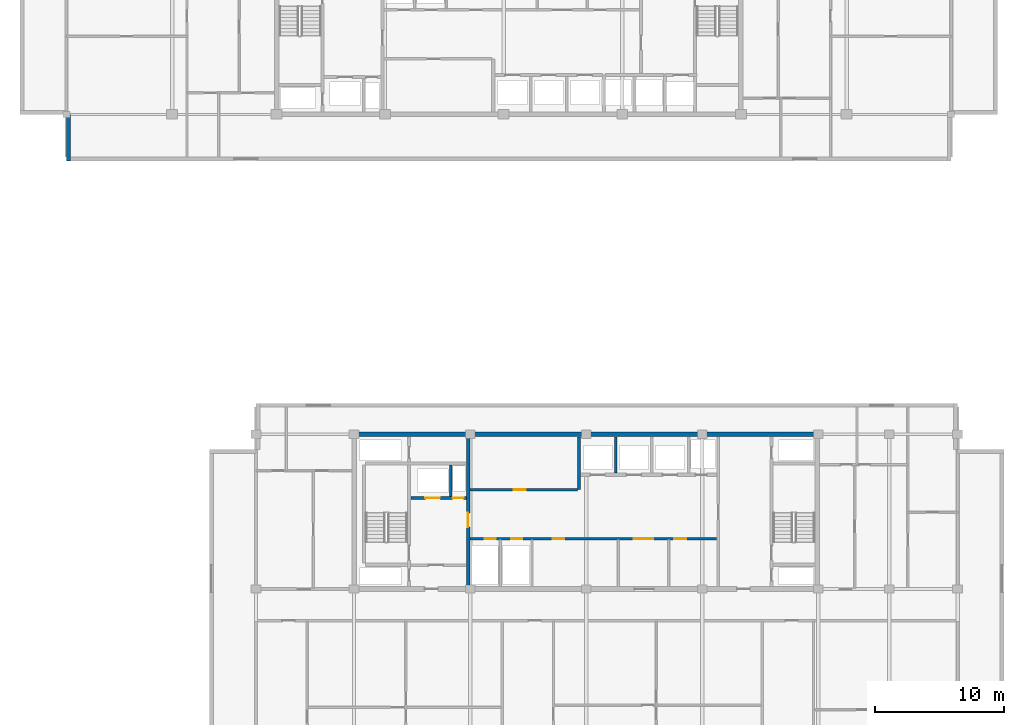
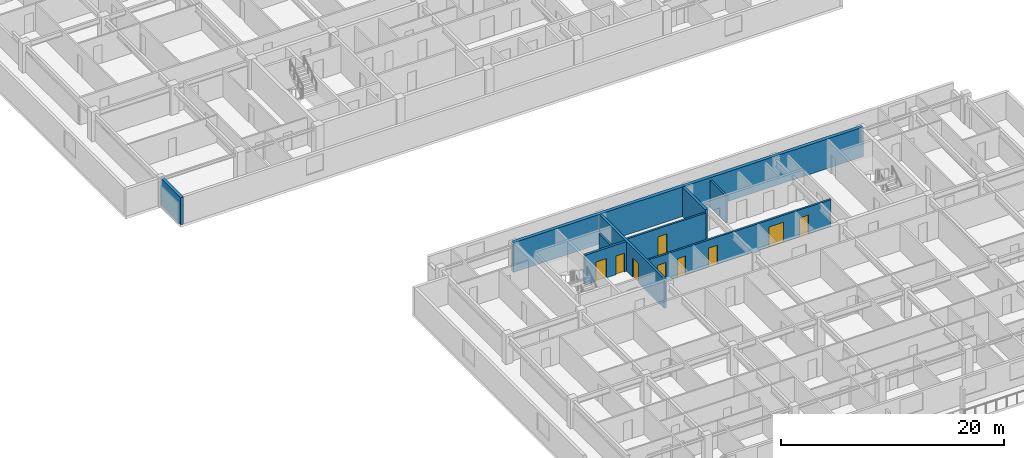
# One storey, part 7 of 23: 9 doors, 9 walls, 9 openings.
"""IFC4 building model written with IfcOpenShell, lengths in metres."""

from ifc_helpers import new_model, si_unit, direction, frame, frame_2d, origin, place, context, subcontext, project, spatial, rectangle, extrude, material, layer, layer_set, type_object, element, fill, save


model = new_model("IFC4")

# Units and contexts
model_context = context("Model", 3, precision=1e-05, world=origin(), true_north=direction((0.0, 1.0)))
body_context = subcontext(model_context, "Body", "Model", "MODEL_VIEW")
ifc_project = project(units=[si_unit("LENGTHUNIT", "METRE"), si_unit("AREAUNIT", "SQUARE_METRE"), si_unit("VOLUMEUNIT", "CUBIC_METRE"), si_unit("PLANEANGLEUNIT", "RADIAN"), si_unit("MASSUNIT", "GRAM", prefix="KILO")], contexts=[model_context])

# Site, building, storey
site_placement = place(None, origin())
site = spatial("IfcSite", under=ifc_project, at=site_placement, CompositionType="ELEMENT")
building_placement = place(site_placement, origin())
building = spatial("IfcBuilding", under=site, at=building_placement, Name="Korimba Cascade Residences", CompositionType="ELEMENT")
storey_placement = place(building_placement, frame((0.0, 0.0, 165.35009765625)))
storey = spatial("IfcBuildingStorey", under=building, at=storey_placement, Name="L47", CompositionType="ELEMENT", Elevation=165.35009765625)

# Walls
ifc_material_1 = material(Name="Precast concrete C40/50", Category="concrete")
ifc_layer_1 = layer(ifc_material_1, 0.300048828125)
ifc_layer_set_1 = layer_set([ifc_layer_1], Name="Precast concrete C40/50")
wall_type_1 = type_object("IfcWallType", Name="EW-STONE-300", PredefinedType="STANDARD", material=ifc_layer_set_1)
wall_1_placement = place(storey_placement, frame((59.949951171875, 55.199951171875, 0.0), z_axis=(0.0, 0.0, 1.0), x_axis=(0.0, -1.0, 0.0)))
element("IfcWall", 1, at=wall_1_placement, inside=storey, type_object=wall_type_1, Name="L47 T1 Perimeter Stone Wall E11", PredefinedType="STANDARD", context=body_context, shape_type="SweptSolid", body=[
    extrude(rectangle(XDim=3.599853515625, YDim=0.300048828125, at=frame_2d((1.7998046875, 0.0))), origin(), (0.0, 0.0, 1.0), 2.969970703125),
])
ifc_material_2 = material(Name="Concrete C65/80", Category="concrete")
ifc_layer_2 = layer(ifc_material_2, 0.35009765625)
ifc_layer_set_2 = layer_set([ifc_layer_2], Name="Concrete C65/80")
wall_type_2 = type_object("IfcWallType", Name="WAL-CORE-350", PredefinedType="SHEAR", material=ifc_layer_set_2)
wall_2_placement = place(storey_placement, frame((81.925048828125, 30.39990234375, 0.0), z_axis=(0.0, 0.0, 1.0), x_axis=(1.0, 0.0, 0.0)))
element("IfcWall", 2, at=wall_2_placement, inside=storey, type_object=wall_type_2, Name="L47 Core Shear Wall CW-L47-T2-N", PredefinedType="SHEAR", context=body_context, shape_type="SweptSolid", body=[
    extrude(rectangle(XDim=36.264892578125, YDim=0.35009765625, at=frame_2d((18.13232421875, 0.0))), origin(), (0.0, 0.0, 1.0), 3.25),
])
ifc_material_3 = material(Name="Concrete C40/50", Category="concrete")
ifc_layer_3 = layer(ifc_material_3, 0.199951171875)
ifc_layer_set_3 = layer_set([ifc_layer_3], Name="Concrete C40/50")
wall_type_3 = type_object("IfcWallType", Name="WAL-PART-200", PredefinedType="PARTITIONING", material=ifc_layer_set_3)
wall_3_placement = place(storey_placement, frame((89.60009765625, 25.580078125, 0.0), z_axis=(0.0, 0.0, 1.0), x_axis=(0.0, 1.0, 0.0)))
element("IfcWall", 3, at=wall_3_placement, inside=storey, type_object=wall_type_3, Name="L47 Partition Wall CW-L47-T2-FFLDIV", PredefinedType="PARTITIONING", context=body_context, shape_type="SweptSolid", body=[
    extrude(rectangle(XDim=2.419921875, YDim=0.199951171875, at=frame_2d((1.2099609375, 0.0))), origin(), (0.0, 0.0, 1.0), 2.969970703125),
])

# Wall, opening, door
wall_4_placement = place(storey_placement, frame((91.080078125, 26.10009765625, 0.0), z_axis=(0.0, 0.0, 1.0), x_axis=(1.0, 0.0, 0.0)))
wall_4 = element("IfcWall", 4, at=wall_4_placement, inside=storey, type_object=wall_type_3, Name="L47 Partition Wall CW-L47-T2-B1RS", PredefinedType="PARTITIONING", context=body_context, shape_type="SweptSolid", body=[
    extrude(rectangle(XDim=8.33984375, YDim=0.199951171875, at=frame_2d((4.169921875, 0.0))), origin(), (0.0, 0.0, 1.0), 2.969970703125),
])
opening_1_placement = place(wall_4_placement, frame((3.39990234375, 0.0, 0.0)))
opening_1 = element("IfcOpeningElement", 5, at=opening_1_placement, cuts=wall_4, Name="Opening D-ST1", PredefinedType="OPENING", context=body_context, shape_type="SweptSolid", body=[
    extrude(rectangle(XDim=0.919921875, YDim=2.080078125, at=frame_2d((0.4599609375, 1.0400390625))), frame((0.0, 0.10986328125, 0.0), z_axis=(0.0, -1.0, 0.0), x_axis=(1.0, 0.0, 0.0)), (0.0, 0.0, 1.0), 0.219970703125),
])
ifc_material_4 = material(Name="Fire-Rated Core Store Door", Category="wood")
door_type_1 = type_object("IfcDoorType", Name="DR-FD60-920", OperationType="NOTDEFINED", PredefinedType="DOOR", material=ifc_material_4)
door_1_placement = place(opening_1_placement, origin())
door_1 = element("IfcDoor", 6, at=door_1_placement, inside=storey, type_object=door_type_1, Name="L47 T2 Resident Storage Door", OperationType="SINGLE_SWING_RIGHT", OverallHeight=2.080078125, OverallWidth=0.919921875, PredefinedType="DOOR", context=body_context, shape_type="SweptSolid", body=[
    extrude(rectangle(XDim=0.919921875, YDim=2.080078125, at=frame_2d((0.4599609375, 1.0400390625))), frame((0.0, 0.02490234375, 0.0), z_axis=(0.0, -1.0, 0.0), x_axis=(1.0, 0.0, 0.0)), (0.0, 0.0, 1.0), 0.050048828125),
])
fill(opening_1, door_1)

# Wall
wall_5_placement = place(storey_placement, frame((102.39990234375, 27.3798828125, 0.0), z_axis=(0.0, 0.0, 1.0), x_axis=(0.0, 1.0, 0.0)))
element("IfcWall", 7, at=wall_5_placement, inside=storey, type_object=wall_type_3, Name="L47 Partition Wall CW-L47-T2-B2D1", PredefinedType="PARTITIONING", context=body_context, shape_type="SweptSolid", body=[
    extrude(rectangle(XDim=2.820068359375, YDim=0.199951171875, at=frame_2d((1.41015625, 0.0))), origin(), (0.0, 0.0, 1.0), 2.969970703125),
])

# Wall, openings, doors
wall_6_placement = place(storey_placement, frame((91.080078125, 22.300048828125, 0.0), z_axis=(0.0, 0.0, 1.0), x_axis=(1.0, 0.0, 0.0)))
wall_6 = element("IfcWall", 8, at=wall_6_placement, inside=storey, type_object=wall_type_3, Name="L47 Partition Wall CW-L47-T2-SRVROW", PredefinedType="PARTITIONING", context=body_context, shape_type="SweptSolid", body=[
    extrude(rectangle(XDim=19.139892578125, YDim=0.199951171875, at=frame_2d((9.56982421875, 0.0))), origin(), (0.0, 0.0, 1.0), 2.969970703125),
])
opening_2_placement = place(wall_6_placement, frame((1.14990234375, 0.0, 0.0)))
opening_2 = element("IfcOpeningElement", 9, at=opening_2_placement, cuts=wall_6, Name="Opening D-RS1", PredefinedType="OPENING", context=body_context, shape_type="SweptSolid", body=[
    extrude(rectangle(XDim=0.85009765625, YDim=2.050048828125, at=frame_2d((0.425048828125, 1.02490234375))), frame((0.0, 0.10986328125, 0.0), z_axis=(0.0, -1.0, 0.0), x_axis=(1.0, 0.0, 0.0)), (0.0, 0.0, 1.0), 0.219970703125),
])
opening_3_placement = place(wall_6_placement, frame((3.199951171875, 0.0, 0.0)))
opening_3 = element("IfcOpeningElement", 10, at=opening_3_placement, cuts=wall_6, Name="Opening D-RS1", PredefinedType="OPENING", context=body_context, shape_type="SweptSolid", body=[
    extrude(rectangle(XDim=0.85009765625, YDim=2.050048828125, at=frame_2d((0.425048828125, 1.02490234375))), frame((0.0, 0.10986328125, 0.0), z_axis=(0.0, -1.0, 0.0), x_axis=(1.0, 0.0, 0.0)), (0.0, 0.0, 1.0), 0.219970703125),
])
opening_4_placement = place(wall_6_placement, frame((12.719970703125, 0.0, 0.0)))
opening_4 = element("IfcOpeningElement", 11, at=opening_4_placement, cuts=wall_6, Name="Opening D-FD8", PredefinedType="OPENING", context=body_context, shape_type="SweptSolid", body=[
    extrude(rectangle(XDim=1.5, YDim=2.199951171875, at=frame_2d((0.75, 1.10009765625))), frame((0.0, 0.10986328125, 0.0), z_axis=(0.0, -1.0, 0.0), x_axis=(1.0, 0.0, 0.0)), (0.0, 0.0, 1.0), 0.219970703125),
])
opening_5_placement = place(wall_6_placement, frame((6.419921875, 0.0, 0.0)))
opening_5 = element("IfcOpeningElement", 12, at=opening_5_placement, cuts=wall_6, Name="Opening D-IN1", PredefinedType="OPENING", context=body_context, shape_type="SweptSolid", body=[
    extrude(rectangle(XDim=0.919921875, YDim=2.080078125, at=frame_2d((0.4599609375, 1.0400390625))), frame((0.0, 0.10986328125, 0.0), z_axis=(0.0, -1.0, 0.0), x_axis=(1.0, 0.0, 0.0)), (0.0, 0.0, 1.0), 0.219970703125),
])
opening_6_placement = place(wall_6_placement, frame((15.8701171875, 0.0, 0.0)))
opening_6 = element("IfcOpeningElement", 13, at=opening_6_placement, cuts=wall_6, Name="Opening D-IN1", PredefinedType="OPENING", context=body_context, shape_type="SweptSolid", body=[
    extrude(rectangle(XDim=0.919921875, YDim=2.080078125, at=frame_2d((0.4599609375, 1.0400390625))), frame((0.0, 0.10986328125, 0.0), z_axis=(0.0, -1.0, 0.0), x_axis=(1.0, 0.0, 0.0)), (0.0, 0.0, 1.0), 0.219970703125),
])
ifc_material_5 = material(Name="Fire-Rated Steel Riser Access Door", Category="steel")
door_type_2 = type_object("IfcDoorType", Name="DR-FD60-850", OperationType="NOTDEFINED", PredefinedType="DOOR", material=ifc_material_5)
door_2_placement = place(opening_2_placement, origin())
door_2 = element("IfcDoor", 14, at=door_2_placement, inside=storey, type_object=door_type_2, Name="L47 T2 Electrical Riser Door", OperationType="SINGLE_SWING_RIGHT", OverallHeight=2.050048828125, OverallWidth=0.85009765625, PredefinedType="DOOR", context=body_context, shape_type="SweptSolid", body=[
    extrude(rectangle(XDim=0.85009765625, YDim=2.050048828125, at=frame_2d((0.425048828125, 1.02490234375))), frame((0.0, 0.02490234375, 0.0), z_axis=(0.0, -1.0, 0.0), x_axis=(1.0, 0.0, 0.0)), (0.0, 0.0, 1.0), 0.050048828125),
])
fill(opening_2, door_2)
door_3_placement = place(opening_3_placement, origin())
door_3 = element("IfcDoor", 15, at=door_3_placement, inside=storey, type_object=door_type_2, Name="L47 T2 Plumbing Riser Door", OperationType="SINGLE_SWING_LEFT", OverallHeight=2.050048828125, OverallWidth=0.85009765625, PredefinedType="DOOR", context=body_context, shape_type="SweptSolid", body=[
    extrude(rectangle(XDim=0.85009765625, YDim=2.050048828125, at=frame_2d((0.425048828125, 1.02490234375))), frame((0.0, 0.02490234375, 0.0), z_axis=(0.0, -1.0, 0.0), x_axis=(1.0, 0.0, 0.0)), (0.0, 0.0, 1.0), 0.050048828125),
])
fill(opening_3, door_3)
ifc_material_6 = material(Name="Fire-Rated Glazed Lift Lobby Double Door", Category="glass")
door_type_3 = type_object("IfcDoorType", Name="DR-FD90-1500", OperationType="NOTDEFINED", PredefinedType="DOOR", material=ifc_material_6)
door_4_placement = place(opening_4_placement, origin())
door_4 = element("IfcDoor", 16, at=door_4_placement, inside=storey, type_object=door_type_3, Name="L47 T2 Lift Lobby Foyer Door", OperationType="DOUBLE_DOOR_SINGLE_SWING", OverallHeight=2.199951171875, OverallWidth=1.5, PredefinedType="DOOR", context=body_context, shape_type="SweptSolid", body=[
    extrude(rectangle(XDim=1.5, YDim=2.199951171875, at=frame_2d((0.75, 1.10009765625))), frame((0.0, 0.02490234375, 0.0), z_axis=(0.0, -1.0, 0.0), x_axis=(1.0, 0.0, 0.0)), (0.0, 0.0, 1.0), 0.050048828125),
])
fill(opening_4, door_4)
ifc_material_7 = material(Name="Acoustic Timber Living Door", Category="wood")
door_type_4 = type_object("IfcDoorType", Name="DR-INT-920", OperationType="NOTDEFINED", PredefinedType="DOOR", material=ifc_material_7)
door_5_placement = place(opening_5_placement, origin())
door_5 = element("IfcDoor", 17, at=door_5_placement, inside=storey, type_object=door_type_4, Name="L47 T2 Housekeeping Door", OperationType="SINGLE_SWING_RIGHT", OverallHeight=2.080078125, OverallWidth=0.919921875, PredefinedType="DOOR", context=body_context, shape_type="SweptSolid", body=[
    extrude(rectangle(XDim=0.919921875, YDim=2.080078125, at=frame_2d((0.4599609375, 1.0400390625))), frame((0.0, 0.02490234375, 0.0), z_axis=(0.0, -1.0, 0.0), x_axis=(1.0, 0.0, 0.0)), (0.0, 0.0, 1.0), 0.050048828125),
])
fill(opening_5, door_5)
door_6_placement = place(opening_6_placement, origin())
door_6 = element("IfcDoor", 18, at=door_6_placement, inside=storey, type_object=door_type_4, Name="L47 T2 Store Door", OperationType="SINGLE_SWING_LEFT", OverallHeight=2.080078125, OverallWidth=0.919921875, PredefinedType="DOOR", context=body_context, shape_type="SweptSolid", body=[
    extrude(rectangle(XDim=0.919921875, YDim=2.080078125, at=frame_2d((0.4599609375, 1.0400390625))), frame((0.0, 0.02490234375, 0.0), z_axis=(0.0, -1.0, 0.0), x_axis=(1.0, 0.0, 0.0)), (0.0, 0.0, 1.0), 0.050048828125),
])
fill(opening_6, door_6)

ifc_material_8 = material(Name="Concrete C50/60", Category="concrete")
ifc_layer_4 = layer(ifc_material_8, 0.25)
ifc_layer_set_4 = layer_set([ifc_layer_4], Name="Concrete C50/60")
wall_type_4 = type_object("IfcWallType", Name="WAL-SHAFT-250", PredefinedType="SHEAR", material=ifc_layer_set_4)
wall_7_placement = place(storey_placement, frame((86.5, 25.449951171875, 0.0), z_axis=(0.0, 0.0, 1.0), x_axis=(1.0, 0.0, 0.0)))
wall_7 = element("IfcWall", 19, at=wall_7_placement, inside=storey, type_object=wall_type_4, Name="L47 Core Shear Wall CW-L47-T2-FFLN", PredefinedType="SHEAR", context=body_context, shape_type="SweptSolid", body=[
    extrude(rectangle(XDim=4.320068359375, YDim=0.25, at=frame_2d((2.16015625, 0.0))), origin(), (0.0, 0.0, 1.0), 3.25),
])
opening_7_placement = place(wall_7_placement, frame((1.139892578125, 0.0, 0.0)))
opening_7 = element("IfcOpeningElement", 20, at=opening_7_placement, cuts=wall_7, Name="Opening LD-01", PredefinedType="OPENING", context=body_context, shape_type="SweptSolid", body=[
    extrude(rectangle(XDim=1.1201171875, YDim=2.1201171875, at=frame_2d((0.56005859375, 1.06005859375))), frame((0.0, 0.135009765625, 0.0), z_axis=(0.0, -1.0, 0.0), x_axis=(1.0, 0.0, 0.0)), (0.0, 0.0, 1.0), 0.27001953125),
])
opening_8_placement = place(wall_7_placement, frame((3.25, 0.0, 0.0)))
opening_8 = element("IfcOpeningElement", 21, at=opening_8_placement, cuts=wall_7, Name="Opening D-RS1", PredefinedType="OPENING", context=body_context, shape_type="SweptSolid", body=[
    extrude(rectangle(XDim=0.85009765625, YDim=2.050048828125, at=frame_2d((0.425048828125, 1.02490234375))), frame((0.0, 0.135009765625, 0.0), z_axis=(0.0, -1.0, 0.0), x_axis=(1.0, 0.0, 0.0)), (0.0, 0.0, 1.0), 0.27001953125),
])
door_7_placement = place(opening_8_placement, origin())
door_7 = element("IfcDoor", 22, at=door_7_placement, inside=storey, type_object=door_type_2, Name="L47 T2 Pressurisation Riser Door", OperationType="SINGLE_SWING_LEFT", OverallHeight=2.050048828125, OverallWidth=0.85009765625, PredefinedType="DOOR", context=body_context, shape_type="SweptSolid", body=[
    extrude(rectangle(XDim=0.85009765625, YDim=2.050048828125, at=frame_2d((0.425048828125, 1.02490234375))), frame((0.0, 0.02490234375, 0.0), z_axis=(0.0, -1.0, 0.0), x_axis=(1.0, 0.0, 0.0)), (0.0, 0.0, 1.0), 0.050048828125),
])
fill(opening_8, door_7)
ifc_material_9 = material(Name="Stainless Steel Lift Landing Sliding Door", Category="steel")
door_type_5 = type_object("IfcDoorType", Name="DR-LIFT-1100", OperationType="NOTDEFINED", PredefinedType="DOOR", material=ifc_material_9)
door_8_placement = place(opening_7_placement, origin())
door_8 = element("IfcDoor", 23, at=door_8_placement, inside=storey, type_object=door_type_5, Name="L47 Firefighting Lift Landing Door FFL-E1", OperationType="SLIDING_TO_RIGHT", OverallHeight=2.1201171875, OverallWidth=1.1201171875, PredefinedType="DOOR", context=body_context, shape_type="SweptSolid", body=[
    extrude(rectangle(XDim=1.1201171875, YDim=2.1201171875, at=frame_2d((0.56005859375, 1.06005859375))), frame((0.0, 0.02490234375, 0.0), z_axis=(0.0, -1.0, 0.0), x_axis=(1.0, 0.0, 0.0)), (0.0, 0.0, 1.0), 0.050048828125),
])
fill(opening_7, door_8)

# Wall, opening, door
wall_8_placement = place(storey_placement, frame((90.949951171875, 18.60009765625, 0.0), z_axis=(0.0, 0.0, 1.0), x_axis=(0.0, 1.0, 0.0)))
wall_8 = element("IfcWall", 24, at=wall_8_placement, inside=storey, type_object=wall_type_4, Name="L47 Core Shear Wall CW-L47-T2-FFLE", PredefinedType="SHEAR", context=body_context, shape_type="SweptSolid", body=[
    extrude(rectangle(XDim=11.599853515625, YDim=0.25, at=frame_2d((5.7998046875, 0.0))), origin(), (0.0, 0.0, 1.0), 3.25),
])
opening_9_placement = place(wall_8_placement, frame((4.60009765625, 0.0, 0.0)))
opening_9 = element("IfcOpeningElement", 25, at=opening_9_placement, cuts=wall_8, Name="Opening D-FD1", PredefinedType="OPENING", context=body_context, shape_type="SweptSolid", body=[
    extrude(rectangle(XDim=1.10009765625, YDim=2.10009765625, at=frame_2d((0.550048828125, 1.050048828125))), frame((0.0, 0.135009765625, 0.0), z_axis=(0.0, -1.0, 0.0), x_axis=(1.0, 0.0, 0.0)), (0.0, 0.0, 1.0), 0.27001953125),
])
ifc_material_10 = material(Name="Fire-Rated Steel Core Door", Category="steel")
door_type_6 = type_object("IfcDoorType", Name="DR-FD120-1100", OperationType="NOTDEFINED", PredefinedType="DOOR", material=ifc_material_10)
door_9_placement = place(opening_9_placement, origin())
door_9 = element("IfcDoor", 26, at=door_9_placement, inside=storey, type_object=door_type_6, Name="L47 T2 Firefighting Lobby to Lift Lobby Door", OperationType="SINGLE_SWING_LEFT", OverallHeight=2.10009765625, OverallWidth=1.10009765625, PredefinedType="DOOR", context=body_context, shape_type="SweptSolid", body=[
    extrude(rectangle(XDim=1.10009765625, YDim=2.10009765625, at=frame_2d((0.550048828125, 1.050048828125))), frame((0.0, 0.02490234375, 0.0), z_axis=(0.0, -1.0, 0.0), x_axis=(1.0, 0.0, 0.0)), (0.0, 0.0, 1.0), 0.050048828125),
])
fill(opening_9, door_9)

# Wall
wall_9_placement = place(storey_placement, frame((99.550048828125, 26.10009765625, 0.0), z_axis=(0.0, 0.0, 1.0), x_axis=(0.0, 1.0, 0.0)))
element("IfcWall", 27, at=wall_9_placement, inside=storey, type_object=wall_type_4, Name="L47 Core Shear Wall CW-L47-T2-B12DIV", PredefinedType="SHEAR", context=body_context, shape_type="SweptSolid", body=[
    extrude(rectangle(XDim=4.099853515625, YDim=0.25, at=frame_2d((2.0498046875, 0.0))), origin(), (0.0, 0.0, 1.0), 3.25),
])

save(model, "model.ifc")
